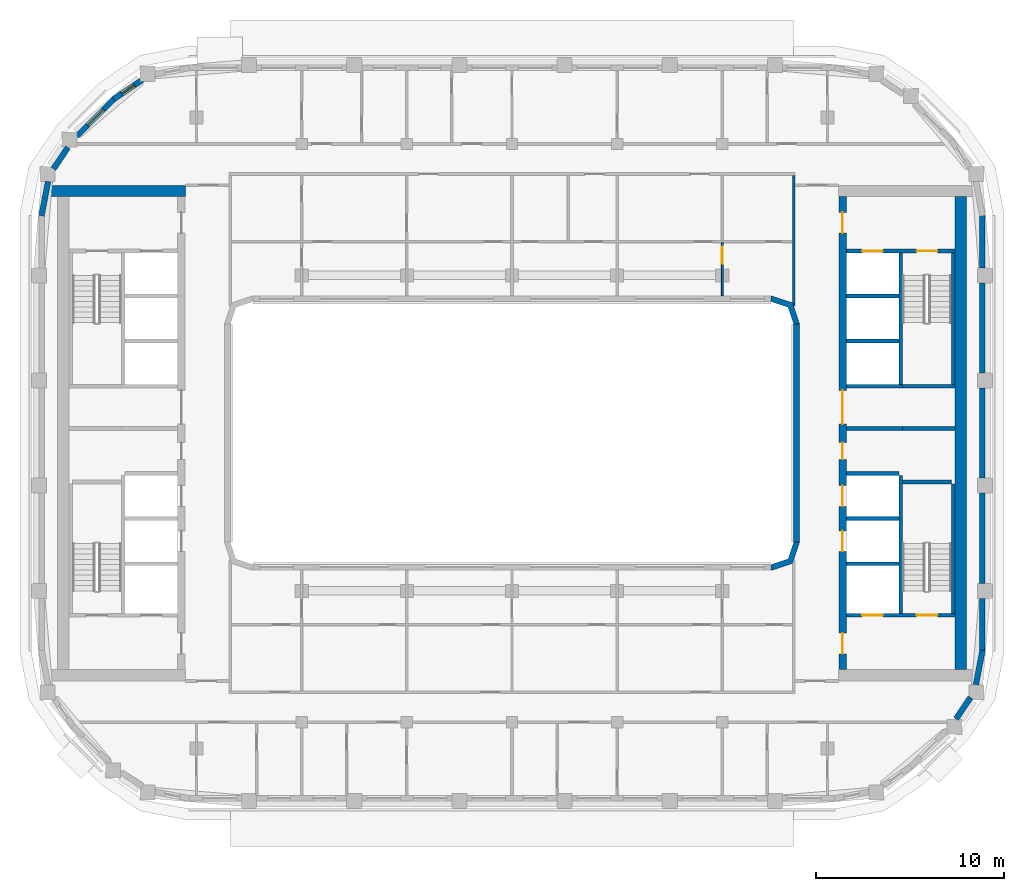
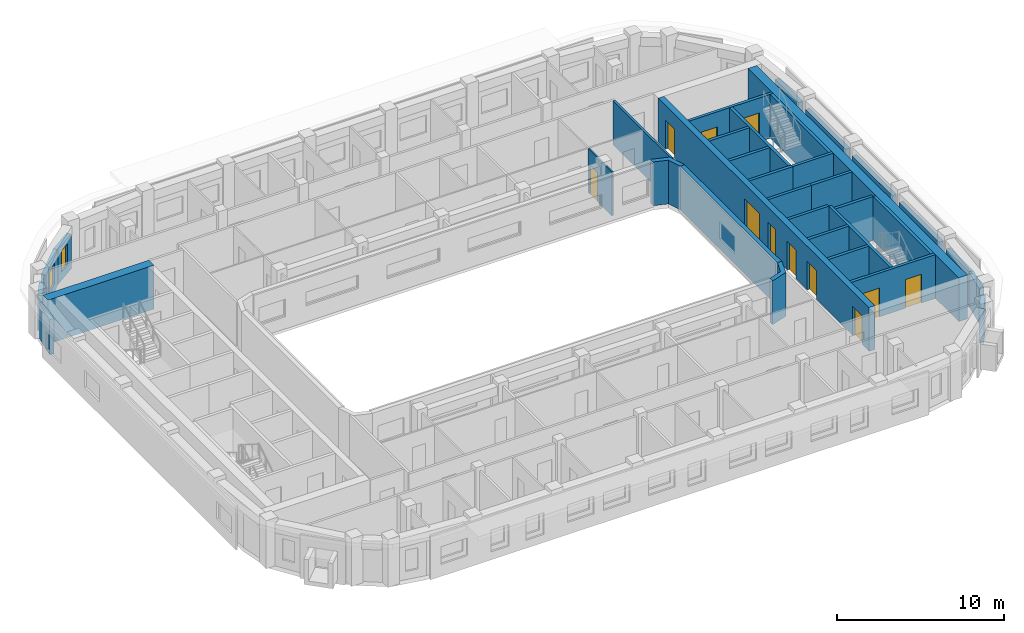
# One storey, part 6 of 16: 35 walls, 11 doors, 2 windows, 13 openings.
"""IFC4 building model written with IfcOpenShell, lengths in metres."""

import ifcopenshell
import ifcopenshell.guid

model = None  # the IFC model being written
_history = None  # IfcOwnerHistory: only IFC2X3 demands one
_inside = {}  # id of a spatial element -> (the spatial element, [elements in it])
_under = {}  # id of a project, library or spatial element -> (it, [spatial elements below it])
_declared = {}  # id of a project -> (the project, [libraries it declares])
_typed = {}  # id of a type object -> (the type object, [elements of that type])
_made_of = {}  # id of a material, layer set ... -> (it, [elements and type objects made of it])


def new_model(schema):
    """Start an empty IFC model of exactly this schema.

    Asked for "IFC4X3", IfcOpenShell would pick the latest addendum, in which some entities
    have other attributes; the version numbers below select the first issue.
    IFC2X3 requires an IfcOwnerHistory on every rooted entity: one is made here for all.
    """
    global model, _history
    if schema == "IFC4X3":
        model = ifcopenshell.file(schema_version=(4, 3, 0, 0))
    else:
        model = ifcopenshell.file(schema=schema)
    _inside.clear()
    _under.clear()
    _declared.clear()
    _typed.clear()
    _made_of.clear()
    _history = None
    if model.schema == "IFC2X3":
        org = make("IfcOrganization", Name="unknown")
        user = make(
            "IfcPersonAndOrganization",
            ThePerson=make("IfcPerson", FamilyName="unknown"),
            TheOrganization=org,
        )
        app = make(
            "IfcApplication",
            ApplicationDeveloper=org,
            Version="unknown",
            ApplicationFullName="unknown",
            ApplicationIdentifier="unknown",
        )
        _history = make(
            "IfcOwnerHistory",
            OwningUser=user,
            OwningApplication=app,
            ChangeAction="ADDED",
            CreationDate=0,
        )
    return model


def make(cls, **values):
    """One entity of the class cls with the attributes given. An attribute that is None is left unset."""
    return model.create_entity(
        cls, **{name: value for name, value in values.items() if value is not None}
    )


def rooted(cls, **values):
    """An entity with a GlobalId (a new one), such as an element, a storey or a relation."""
    return make(cls, GlobalId=ifcopenshell.guid.new(), OwnerHistory=_history, **values)


def si_unit(unit_type, name, prefix=None):
    """IfcSIUnit, for example si_unit("LENGTHUNIT", "METRE", prefix="MILLI")."""
    return make("IfcSIUnit", UnitType=unit_type, Prefix=prefix, Name=name)


def assignment(units):
    """IfcUnitAssignment: the units of a project."""
    return None if units is None else make("IfcUnitAssignment", Units=units)


def point(xyz):
    """IfcCartesianPoint."""
    return None if xyz is None else make("IfcCartesianPoint", Coordinates=xyz)


def direction(xyz):
    """IfcDirection."""
    return None if xyz is None else make("IfcDirection", DirectionRatios=xyz)


def frame(location, z_axis=None, x_axis=None):
    """IfcAxis2Placement3D, a coordinate frame: its origin and axes. An axis left out is left unset."""
    return make(
        "IfcAxis2Placement3D",
        Location=point(location),
        Axis=direction(z_axis),
        RefDirection=direction(x_axis),
    )


def frame_2d(location, x_axis=None):
    """IfcAxis2Placement2D, a coordinate frame in the plane: its origin and x axis."""
    return make(
        "IfcAxis2Placement2D", Location=point(location), RefDirection=direction(x_axis)
    )


def origin():
    """The frame at (0, 0, 0) with its axes left unset."""
    return frame((0.0, 0.0, 0.0))


def place(relative_to, where):
    """IfcLocalPlacement: puts the frame where relative to a parent placement (None: the world)."""
    return make(
        "IfcLocalPlacement", PlacementRelTo=relative_to, RelativePlacement=where
    )


def context(
    kind, dimensions, precision=None, world=None, true_north=None, identifier=None
):
    """IfcGeometricRepresentationContext, for example the 3D "Model" context."""
    return make(
        "IfcGeometricRepresentationContext",
        ContextIdentifier=identifier,
        ContextType=kind,
        CoordinateSpaceDimension=dimensions,
        Precision=precision,
        WorldCoordinateSystem=world,
        TrueNorth=true_north,
    )


def subcontext(parent, identifier, kind, view, scale=None):
    """IfcGeometricRepresentationSubContext, for example "Body" below "Model"."""
    return make(
        "IfcGeometricRepresentationSubContext",
        ContextIdentifier=identifier,
        ContextType=kind,
        ParentContext=parent,
        TargetScale=scale,
        TargetView=view,
    )


def project(units=None, contexts=None):
    """IfcProject with its units and contexts."""
    return rooted(
        "IfcProject",
        Name="project",
        RepresentationContexts=contexts,
        UnitsInContext=assignment(units),
    )


def spatial(cls, under=None, at=None, **own):
    """A site, building, storey or space (cls), placed at a placement, below another one or the project."""
    s = rooted(cls, ObjectPlacement=at, **own)
    if under is not None:
        _under.setdefault(under.id(), (under, []))[1].append(s)
    return s


def polyline(points):
    """IfcPolyline through the points."""
    return make("IfcPolyline", Points=[point(p) for p in points])


def profile(cls, at=None, kind="AREA", **sizes):
    """A parametric profile (cls). Its sizes go by their IFC names, for example OverallWidth=200.0."""
    return make(cls, ProfileType=kind, Position=at, **sizes)


def rectangle(**sizes):
    """IfcRectangleProfileDef."""
    return profile("IfcRectangleProfileDef", **sizes)


def outline(outer, holes=None, kind="AREA"):
    """IfcArbitraryClosedProfileDef: a profile drawn as a closed curve; with holes, ...WithVoids."""
    if holes is None:
        return make("IfcArbitraryClosedProfileDef", ProfileType=kind, OuterCurve=outer)
    return make(
        "IfcArbitraryProfileDefWithVoids",
        ProfileType=kind,
        OuterCurve=outer,
        InnerCurves=holes,
    )


def extrude(swept, where, along, depth):
    """IfcExtrudedAreaSolid: the profile swept, set in the frame where, extruded along a direction by depth."""
    return make(
        "IfcExtrudedAreaSolid",
        SweptArea=swept,
        Position=where,
        ExtrudedDirection=direction(along),
        Depth=depth,
    )


def shape(context_of_items, identifier, shape_type, items):
    """IfcShapeRepresentation: the items that make up one representation, for example the "Body"."""
    return make(
        "IfcShapeRepresentation",
        ContextOfItems=context_of_items,
        RepresentationIdentifier=identifier,
        RepresentationType=shape_type,
        Items=items,
    )


def material(Name=None, Category=None):
    """IfcMaterial."""
    return make("IfcMaterial", Name=Name, Category=Category)


def layer(
    of_material, thickness, ventilated=None, Name=None, Category=None, Priority=None
):
    """IfcMaterialLayer: one layer of a wall or slab, of a material (None: an air gap)."""
    return make(
        "IfcMaterialLayer",
        Material=of_material,
        LayerThickness=thickness,
        IsVentilated=ventilated,
        Name=Name,
        Category=Category,
        Priority=Priority,
    )


def layer_set(layers, Name=None):
    """IfcMaterialLayerSet."""
    return make("IfcMaterialLayerSet", MaterialLayers=layers, LayerSetName=Name)


def made_of(thing, what):
    """Note that an element or type object is made of a material, layer set ...; save() writes the relation."""
    if what is not None:
        _made_of.setdefault(what.id(), (what, []))[1].append(thing)
    return thing


def type_object(cls, material=None, **own):
    """A type object (cls), such as IfcWallType, which elements share."""
    return made_of(rooted(cls, **own), material)


def element(
    cls,
    number,
    at=None,
    inside=None,
    cuts=None,
    type_object=None,
    material=None,
    context=None,
    identifier="Body",
    shape_type=None,
    held_by="IfcProductDefinitionShape",
    body=None,
    shapes=None,
    **own,
):
    """One element of the class cls, such as IfcWall. Its Tag is "e" and its number.

    at: its placement. inside: the storey or other place that contains it. cuts: it is an
    opening in that element (IfcRelVoidsElement). A single representation is given by context,
    identifier, shape_type and body (its items); several are given by shapes. held_by: the class
    of the entity that holds the representations. save() writes the other relations.
    """
    e = rooted(cls, Tag="e%d" % number, ObjectPlacement=at, **own)
    if body is not None:
        shapes = [shape(context, identifier, shape_type, body)]
    if shapes is not None:
        e.Representation = make(held_by, Representations=shapes)
    if inside is not None:
        _inside.setdefault(inside.id(), (inside, []))[1].append(e)
    if cuts is not None:
        rooted(
            "IfcRelVoidsElement", RelatingBuildingElement=cuts, RelatedOpeningElement=e
        )
    if type_object is not None:
        _typed.setdefault(type_object.id(), (type_object, []))[1].append(e)
    return made_of(e, material)


def fill(opening, filler):
    """IfcRelFillsElement: the door or window that sits in an opening."""
    return rooted(
        "IfcRelFillsElement",
        RelatingOpeningElement=opening,
        RelatedBuildingElement=filler,
    )


def aggregate(whole, parts):
    """IfcRelAggregates: a whole, such as a stair, and the parts it consists of."""
    return rooted("IfcRelAggregates", RelatingObject=whole, RelatedObjects=parts)


def save(model, path):
    """Write the relations noted so far, then the file.

    IfcRelAggregates (storeys below a building ...), IfcRelContainedInSpatialStructure (elements
    in a storey), IfcRelDefinesByType, IfcRelAssociatesMaterial and IfcRelDeclares: one each for
    every whole, place, type object, material and project.
    """
    for whole, parts in _under.values():
        aggregate(whole, parts)
    for where, things in _inside.values():
        rooted(
            "IfcRelContainedInSpatialStructure",
            RelatedElements=things,
            RelatingStructure=where,
        )
    for kind, things in _typed.values():
        rooted("IfcRelDefinesByType", RelatedObjects=things, RelatingType=kind)
    for what, things in _made_of.values():
        rooted("IfcRelAssociatesMaterial", RelatedObjects=things, RelatingMaterial=what)
    for by, libraries in _declared.values():
        rooted("IfcRelDeclares", RelatingContext=by, RelatedDefinitions=libraries)
    model.write(path)


model = new_model("IFC4")

# Units and contexts
model_context = context("Model", 3, precision=1e-05, world=origin(), true_north=direction((0.0, 1.0)))
body_context = subcontext(model_context, "Body", "Model", "MODEL_VIEW")
ifc_project = project(units=[si_unit("LENGTHUNIT", "METRE"), si_unit("AREAUNIT", "SQUARE_METRE"), si_unit("VOLUMEUNIT", "CUBIC_METRE"), si_unit("PLANEANGLEUNIT", "RADIAN"), si_unit("MASSUNIT", "GRAM", prefix="KILO")], contexts=[model_context])

# Site, building, storey
site_placement = place(None, origin())
site = spatial("IfcSite", under=ifc_project, at=site_placement, CompositionType="ELEMENT")
building_placement = place(site_placement, origin())
building = spatial("IfcBuilding", under=site, at=building_placement, Name="Kiln Ring Residences", CompositionType="ELEMENT")
storey_placement = place(building_placement, frame((0.0, 0.0, 245.199951171875)))
storey = spatial("IfcBuildingStorey", under=building, at=storey_placement, Name="L63", CompositionType="ELEMENT", Elevation=245.199951171875)

# Walls
ifc_material_1 = material(Name="Gypsum board on steel studs", Category="steel")
ifc_layer_1 = layer(ifc_material_1, 0.199951171875)
ifc_layer_set_1 = layer_set([ifc_layer_1], Name="CORE-PARTITION-200")
wall_type_1 = type_object("IfcWallType", Name="CORE-PARTITION-200", PredefinedType="PARTITIONING", material=ifc_layer_set_1)
wall_1_placement = place(storey_placement, frame((20.800048828125, 0.25, 0.0), z_axis=(0.0, 0.0, 1.0), x_axis=(1.0, 0.0, 0.0)))
element("IfcWall", 1, at=wall_1_placement, inside=storey, type_object=wall_type_1, Name="Core partition east L63 1", PredefinedType="PARTITIONING", context=body_context, shape_type="SweptSolid", body=[
    extrude(rectangle(XDim=2.800048828125, YDim=0.199951171875, at=frame_2d((1.39990234375, 0.0))), origin(), (0.0, 0.0, 1.0), 3.199951171875),
])
ifc_material_2 = material(Name="Gypsum shaft wall system")
ifc_layer_2 = layer(ifc_material_2, 0.199951171875)
ifc_layer_set_2 = layer_set([ifc_layer_2], Name="CORE-SHAFT-WALL-200")
wall_type_2 = type_object("IfcWallType", Name="CORE-SHAFT-WALL-200", PredefinedType="PARTITIONING", material=ifc_layer_set_2)
for number, where, z_axis, x_axis, name in (
    (2, (17.800048828125, -6.949951171875, 0.0), (0.0, 0.0, 1.0), (1.0, 0.0, 0.0), "Core partition east L63 2"),
    (3, (17.800048828125, -4.550048828125, 0.0), (0.0, 0.0, 1.0), (1.0, 0.0, 0.0), "Core partition east L63 3"),
    (4, (17.800048828125, -2.14990234375, 0.0), (0.0, 0.0, 1.0), (1.0, 0.0, 0.0), "Core partition east L63 4"),
):
    element("IfcWall", number, at=place(storey_placement, frame(where, z_axis=z_axis, x_axis=x_axis)), inside=storey, type_object=wall_type_2, Name=name, PredefinedType="PARTITIONING", context=body_context, shape_type="SweptSolid", body=[
        extrude(rectangle(XDim=2.800048828125, YDim=0.199951171875, at=frame_2d((1.39990234375, 0.0))), origin(), (0.0, 0.0, 1.0), 3.199951171875),
    ])
for number, where, z_axis, x_axis, name in (
    (5, (17.800048828125, 0.25, 0.0), (0.0, 0.0, 1.0), (1.0, 0.0, 0.0), "Core partition east L63 5"),
    (6, (17.800048828125, 2.5, 0.0), (0.0, 0.0, 1.0), (1.0, 0.0, 0.0), "Core partition east L63 6"),
):
    element("IfcWall", number, at=place(storey_placement, frame(where, z_axis=z_axis, x_axis=x_axis)), inside=storey, type_object=wall_type_2, Name=name, PredefinedType="PARTITIONING", context=body_context, shape_type="SweptSolid", body=[
        extrude(rectangle(XDim=3.0, YDim=0.199951171875, at=frame_2d((1.5, 0.0))), origin(), (0.0, 0.0, 1.0), 3.199951171875),
    ])
for number, where, z_axis, x_axis, name in (
    (7, (17.800048828125, 4.89990234375, 0.0), (0.0, 0.0, 1.0), (1.0, 0.0, 0.0), "Core partition east L63 7"),
    (8, (17.800048828125, 7.300048828125, 0.0), (0.0, 0.0, 1.0), (1.0, 0.0, 0.0), "Core partition east L63 8"),
):
    element("IfcWall", number, at=place(storey_placement, frame(where, z_axis=z_axis, x_axis=x_axis)), inside=storey, type_object=wall_type_2, Name=name, PredefinedType="PARTITIONING", context=body_context, shape_type="SweptSolid", body=[
        extrude(rectangle(XDim=2.800048828125, YDim=0.199951171875, at=frame_2d((1.39990234375, 0.0))), origin(), (0.0, 0.0, 1.0), 3.199951171875),
    ])
ifc_material_3 = material(Name="Concrete C40/50", Category="concrete")
ifc_layer_3 = layer(ifc_material_3, 0.199951171875)
ifc_layer_set_3 = layer_set([ifc_layer_3], Name="CORE-WALL-RC200")
wall_type_3 = type_object("IfcWallType", Name="CORE-WALL-RC200", PredefinedType="SHEAR", material=ifc_layer_set_3)
wall_2_placement = place(storey_placement, frame((20.699951171875, 2.60009765625, 0.0), z_axis=(0.0, 0.0, 1.0), x_axis=(0.0, 1.0, 0.0)))
element("IfcWall", 9, at=wall_2_placement, inside=storey, type_object=wall_type_3, Name="Core wall east L63 1", PredefinedType="SHEAR", context=body_context, shape_type="SweptSolid", body=[
    extrude(rectangle(XDim=7.0, YDim=0.199951171875, at=frame_2d((3.5, 0.0))), origin(), (0.0, 0.0, 1.0), 3.199951171875),
])
wall_3_placement = place(storey_placement, frame((20.699951171875, -9.60009765625, 0.0), z_axis=(0.0, 0.0, 1.0), x_axis=(0.0, 1.0, 0.0)))
element("IfcWall", 10, at=wall_3_placement, inside=storey, type_object=wall_type_3, Name="Core wall east L63 2", PredefinedType="SHEAR", context=body_context, shape_type="SweptSolid", body=[
    extrude(rectangle(XDim=7.35009765625, YDim=0.199951171875, at=frame_2d((3.675048828125, 0.0))), origin(), (0.0, 0.0, 1.0), 3.199951171875),
])
wall_4_placement = place(storey_placement, frame((20.800048828125, 2.5, 0.0), z_axis=(0.0, 0.0, 1.0), x_axis=(1.0, 0.0, 0.0)))
element("IfcWall", 11, at=wall_4_placement, inside=storey, type_object=wall_type_3, Name="Core wall east L63 3", PredefinedType="SHEAR", context=body_context, shape_type="SweptSolid", body=[
    extrude(rectangle(XDim=2.800048828125, YDim=0.199951171875, at=frame_2d((1.39990234375, 0.0))), origin(), (0.0, 0.0, 1.0), 3.199951171875),
])

# Wall, openings, doors
wall_5_placement = place(storey_placement, frame((17.800048828125, -9.699951171875, 0.0), z_axis=(0.0, 0.0, 1.0), x_axis=(1.0, 0.0, 0.0)))
wall_5 = element("IfcWall", 12, at=wall_5_placement, inside=storey, type_object=wall_type_3, Name="Core wall east L63 8", PredefinedType="SHEAR", context=body_context, shape_type="SweptSolid", body=[
    extrude(rectangle(XDim=5.800048828125, YDim=0.199951171875, at=frame_2d((2.89990234375, 0.0))), origin(), (0.0, 0.0, 1.0), 3.199951171875),
])
opening_1_placement = place(wall_5_placement, frame((0.85009765625, 0.0, 0.0)))
opening_1 = element("IfcOpeningElement", 13, at=opening_1_placement, cuts=wall_5, Name="Opening L63-CE01", PredefinedType="OPENING", context=body_context, shape_type="SweptSolid", body=[
    extrude(rectangle(XDim=1.10009765625, YDim=2.10009765625, at=frame_2d((0.550048828125, 1.050048828125))), frame((0.0, 0.10986328125, 0.0), z_axis=(0.0, -1.0, 0.0), x_axis=(1.0, 0.0, 0.0)), (0.0, 0.0, 1.0), 0.219970703125),
])
opening_2_placement = place(wall_5_placement, frame((3.75, 0.0, 0.0)))
opening_2 = element("IfcOpeningElement", 14, at=opening_2_placement, cuts=wall_5, Name="Opening L63-CE09", PredefinedType="OPENING", context=body_context, shape_type="SweptSolid", body=[
    extrude(rectangle(XDim=1.10009765625, YDim=2.10009765625, at=frame_2d((0.550048828125, 1.050048828125))), frame((0.0, 0.10986328125, 0.0), z_axis=(0.0, -1.0, 0.0), x_axis=(1.0, 0.0, 0.0)), (0.0, 0.0, 1.0), 0.219970703125),
])
ifc_material_4 = material(Name="Steel door leaf", Category="steel")
door_type_1 = type_object("IfcDoorType", Name="CORE-DOOR-LD", OperationType="DOUBLE_DOOR_SLIDING", PredefinedType="DOOR", material=ifc_material_4)
door_1_placement = place(opening_1_placement, origin())
door_1 = element("IfcDoor", 15, at=door_1_placement, inside=storey, type_object=door_type_1, Name="LD E-SV L63-CE01", OperationType="DOUBLE_DOOR_SLIDING", OverallHeight=2.10009765625, OverallWidth=1.10009765625, PredefinedType="DOOR", context=body_context, shape_type="SweptSolid", body=[
    extrude(rectangle(XDim=1.10009765625, YDim=2.10009765625, at=frame_2d((0.550048828125, 1.050048828125))), frame((0.0, 0.02490234375, 0.0), z_axis=(0.0, -1.0, 0.0), x_axis=(1.0, 0.0, 0.0)), (0.0, 0.0, 1.0), 0.050048828125),
])
fill(opening_1, door_1)
ifc_material_5 = material(Name="Steel door leaf", Category="steel")
door_type_2 = type_object("IfcDoorType", Name="CORE-DOOR-STAIR", OperationType="SINGLE_SWING_LEFT", PredefinedType="DOOR", material=ifc_material_5)
door_2_placement = place(opening_2_placement, origin())
door_2 = element("IfcDoor", 16, at=door_2_placement, inside=storey, type_object=door_type_2, Name="Stair E-STS L63-CE09", OperationType="SINGLE_SWING_LEFT", OverallHeight=2.10009765625, OverallWidth=1.10009765625, PredefinedType="DOOR", context=body_context, shape_type="SweptSolid", body=[
    extrude(rectangle(XDim=1.10009765625, YDim=2.10009765625, at=frame_2d((0.550048828125, 1.050048828125))), frame((0.0, 0.02490234375, 0.0), z_axis=(0.0, -1.0, 0.0), x_axis=(1.0, 0.0, 0.0)), (0.0, 0.0, 1.0), 0.050048828125),
])
fill(opening_2, door_2)

wall_6_placement = place(storey_placement, frame((17.800048828125, 9.699951171875, 0.0), z_axis=(0.0, 0.0, 1.0), x_axis=(1.0, 0.0, 0.0)))
wall_6 = element("IfcWall", 17, at=wall_6_placement, inside=storey, type_object=wall_type_3, Name="Core wall east L63 9", PredefinedType="SHEAR", context=body_context, shape_type="SweptSolid", body=[
    extrude(rectangle(XDim=5.800048828125, YDim=0.199951171875, at=frame_2d((2.89990234375, 0.0))), origin(), (0.0, 0.0, 1.0), 3.199951171875),
])
opening_3_placement = place(wall_6_placement, frame((0.85009765625, 0.0, 0.0)))
opening_3 = element("IfcOpeningElement", 18, at=opening_3_placement, cuts=wall_6, Name="Opening L63-CE05", PredefinedType="OPENING", context=body_context, shape_type="SweptSolid", body=[
    extrude(rectangle(XDim=1.10009765625, YDim=2.10009765625, at=frame_2d((0.550048828125, 1.050048828125))), frame((0.0, 0.10986328125, 0.0), z_axis=(0.0, -1.0, 0.0), x_axis=(1.0, 0.0, 0.0)), (0.0, 0.0, 1.0), 0.219970703125),
])
opening_4_placement = place(wall_6_placement, frame((3.75, 0.0, 0.0)))
opening_4 = element("IfcOpeningElement", 19, at=opening_4_placement, cuts=wall_6, Name="Opening L63-CE08", PredefinedType="OPENING", context=body_context, shape_type="SweptSolid", body=[
    extrude(rectangle(XDim=1.10009765625, YDim=2.10009765625, at=frame_2d((0.550048828125, 1.050048828125))), frame((0.0, 0.10986328125, 0.0), z_axis=(0.0, -1.0, 0.0), x_axis=(1.0, 0.0, 0.0)), (0.0, 0.0, 1.0), 0.219970703125),
])
door_3_placement = place(opening_3_placement, origin())
door_3 = element("IfcDoor", 20, at=door_3_placement, inside=storey, type_object=door_type_1, Name="LD E-FF L63-CE05", OperationType="DOUBLE_DOOR_SLIDING", OverallHeight=2.10009765625, OverallWidth=1.10009765625, PredefinedType="DOOR", context=body_context, shape_type="SweptSolid", body=[
    extrude(rectangle(XDim=1.10009765625, YDim=2.10009765625, at=frame_2d((0.550048828125, 1.050048828125))), frame((0.0, 0.02490234375, 0.0), z_axis=(0.0, -1.0, 0.0), x_axis=(1.0, 0.0, 0.0)), (0.0, 0.0, 1.0), 0.050048828125),
])
fill(opening_3, door_3)
door_4_placement = place(opening_4_placement, origin())
door_4 = element("IfcDoor", 21, at=door_4_placement, inside=storey, type_object=door_type_2, Name="Stair E-STN L63-CE08", OperationType="SINGLE_SWING_LEFT", OverallHeight=2.10009765625, OverallWidth=1.10009765625, PredefinedType="DOOR", context=body_context, shape_type="SweptSolid", body=[
    extrude(rectangle(XDim=1.10009765625, YDim=2.10009765625, at=frame_2d((0.550048828125, 1.050048828125))), frame((0.0, 0.02490234375, 0.0), z_axis=(0.0, -1.0, 0.0), x_axis=(1.0, 0.0, 0.0)), (0.0, 0.0, 1.0), 0.050048828125),
])
fill(opening_4, door_4)

# Walls
wall_7_placement = place(storey_placement, frame((23.5, 2.60009765625, 0.0), z_axis=(0.0, 0.0, 1.0), x_axis=(0.0, 1.0, 0.0)))
element("IfcWall", 22, at=wall_7_placement, inside=storey, type_object=wall_type_3, Name="Core wall east L63 10", PredefinedType="SHEAR", context=body_context, shape_type="SweptSolid", body=[
    extrude(rectangle(XDim=7.0, YDim=0.199951171875, at=frame_2d((3.5, 0.0))), origin(), (0.0, 0.0, 1.0), 3.199951171875),
])
wall_8_placement = place(storey_placement, frame((23.5, -9.60009765625, 0.0), z_axis=(0.0, 0.0, 1.0), x_axis=(0.0, 1.0, 0.0)))
element("IfcWall", 23, at=wall_8_placement, inside=storey, type_object=wall_type_3, Name="Core wall east L63 11", PredefinedType="SHEAR", context=body_context, shape_type="SweptSolid", body=[
    extrude(rectangle(XDim=6.900146484375, YDim=0.199951171875, at=frame_2d((3.4501953125, 0.0))), origin(), (0.0, 0.0, 1.0), 3.199951171875),
])
wall_9_placement = place(storey_placement, frame((20.800048828125, -2.60009765625, 0.0), z_axis=(0.0, 0.0, 1.0), x_axis=(1.0, 0.0, 0.0)))
element("IfcWall", 24, at=wall_9_placement, inside=storey, type_object=wall_type_3, Name="Core wall east L63 12", PredefinedType="SHEAR", context=body_context, shape_type="SweptSolid", body=[
    extrude(rectangle(XDim=2.599853515625, YDim=0.199951171875, at=frame_2d((1.2998046875, 0.0))), origin(), (0.0, 0.0, 1.0), 3.199951171875),
])

# Wall, openings, doors
ifc_material_6 = material(Name="Concrete C60/75", Category="concrete")
ifc_layer_4 = layer(ifc_material_6, 0.39990234375)
ifc_layer_set_4 = layer_set([ifc_layer_4], Name="CORE-WALL-RC400")
wall_type_4 = type_object("IfcWallType", Name="CORE-WALL-RC400", PredefinedType="SHEAR", material=ifc_layer_set_4)
wall_10_placement = place(storey_placement, frame((17.60009765625, -12.60009765625, 0.0), z_axis=(0.0, 0.0, 1.0), x_axis=(0.0, 1.0, 0.0)))
wall_10 = element("IfcWall", 25, at=wall_10_placement, inside=storey, type_object=wall_type_4, Name="Core wall east L63 6", PredefinedType="SHEAR", context=body_context, shape_type="SweptSolid", body=[
    extrude(rectangle(XDim=25.2001953125, YDim=0.39990234375, at=frame_2d((12.60009765625, 0.0))), origin(), (0.0, 0.0, 1.0), 3.199951171875),
])
opening_5_placement = place(wall_10_placement, frame((6.300048828125, 0.0, 0.0)))
opening_5 = element("IfcOpeningElement", 26, at=opening_5_placement, cuts=wall_10, Name="Opening L63-CE02", PredefinedType="OPENING", context=body_context, shape_type="SweptSolid", body=[
    extrude(rectangle(XDim=1.10009765625, YDim=2.10009765625, at=frame_2d((0.550048828125, 1.050048828125))), frame((0.0, 0.2099609375, 0.0), z_axis=(0.0, -1.0, 0.0), x_axis=(1.0, 0.0, 0.0)), (0.0, 0.0, 1.0), 0.419921875),
])
opening_6_placement = place(wall_10_placement, frame((8.699951171875, 0.0, 0.0)))
opening_6 = element("IfcOpeningElement", 27, at=opening_6_placement, cuts=wall_10, Name="Opening L63-CE03", PredefinedType="OPENING", context=body_context, shape_type="SweptSolid", body=[
    extrude(rectangle(XDim=1.10009765625, YDim=2.10009765625, at=frame_2d((0.550048828125, 1.050048828125))), frame((0.0, 0.2099609375, 0.0), z_axis=(0.0, -1.0, 0.0), x_axis=(1.0, 0.0, 0.0)), (0.0, 0.0, 1.0), 0.419921875),
])
opening_7_placement = place(wall_10_placement, frame((11.199951171875, 0.0, 0.0)))
opening_7 = element("IfcOpeningElement", 28, at=opening_7_placement, cuts=wall_10, Name="Opening L63-CE04", PredefinedType="OPENING", context=body_context, shape_type="SweptSolid", body=[
    extrude(rectangle(XDim=0.89990234375, YDim=2.10009765625, at=frame_2d((0.449951171875, 1.050048828125))), frame((0.0, 0.2099609375, 0.0), z_axis=(0.0, -1.0, 0.0), x_axis=(1.0, 0.0, 0.0)), (0.0, 0.0, 1.0), 0.419921875),
])
opening_8_placement = place(wall_10_placement, frame((23.25, 0.0, 0.0)))
opening_8 = element("IfcOpeningElement", 29, at=opening_8_placement, cuts=wall_10, Name="Opening L63-CE06", PredefinedType="OPENING", context=body_context, shape_type="SweptSolid", body=[
    extrude(rectangle(XDim=1.10009765625, YDim=2.10009765625, at=frame_2d((0.550048828125, 1.050048828125))), frame((0.0, 0.2099609375, 0.0), z_axis=(0.0, -1.0, 0.0), x_axis=(1.0, 0.0, 0.0)), (0.0, 0.0, 1.0), 0.419921875),
])
opening_9_placement = place(wall_10_placement, frame((0.85009765625, 0.0, 0.0)))
opening_9 = element("IfcOpeningElement", 30, at=opening_9_placement, cuts=wall_10, Name="Opening L63-CE07", PredefinedType="OPENING", context=body_context, shape_type="SweptSolid", body=[
    extrude(rectangle(XDim=1.10009765625, YDim=2.10009765625, at=frame_2d((0.550048828125, 1.050048828125))), frame((0.0, 0.2099609375, 0.0), z_axis=(0.0, -1.0, 0.0), x_axis=(1.0, 0.0, 0.0)), (0.0, 0.0, 1.0), 0.419921875),
])
opening_10_placement = place(wall_10_placement, frame((13.074951171875, 0.0, 0.0)))
opening_10 = element("IfcOpeningElement", 31, at=opening_10_placement, cuts=wall_10, Name="Opening L63-CE10", PredefinedType="OPENING", context=body_context, shape_type="SweptSolid", body=[
    extrude(rectangle(XDim=1.800048828125, YDim=2.10009765625, at=frame_2d((0.89990234375, 1.050048828125))), frame((0.0, 0.2099609375, 0.0), z_axis=(0.0, -1.0, 0.0), x_axis=(1.0, 0.0, 0.0)), (0.0, 0.0, 1.0), 0.419921875),
])
door_5_placement = place(opening_5_placement, origin())
door_5 = element("IfcDoor", 32, at=door_5_placement, inside=storey, type_object=door_type_1, Name="LD E-H1 L63-CE02", OperationType="DOUBLE_DOOR_SLIDING", OverallHeight=2.10009765625, OverallWidth=1.10009765625, PredefinedType="DOOR", context=body_context, shape_type="SweptSolid", body=[
    extrude(rectangle(XDim=1.10009765625, YDim=2.10009765625, at=frame_2d((0.550048828125, 1.050048828125))), frame((0.0, 0.02490234375, 0.0), z_axis=(0.0, -1.0, 0.0), x_axis=(1.0, 0.0, 0.0)), (0.0, 0.0, 1.0), 0.050048828125),
])
fill(opening_5, door_5)
door_6_placement = place(opening_6_placement, origin())
door_6 = element("IfcDoor", 33, at=door_6_placement, inside=storey, type_object=door_type_1, Name="LD E-H2 L63-CE03", OperationType="DOUBLE_DOOR_SLIDING", OverallHeight=2.10009765625, OverallWidth=1.10009765625, PredefinedType="DOOR", context=body_context, shape_type="SweptSolid", body=[
    extrude(rectangle(XDim=1.10009765625, YDim=2.10009765625, at=frame_2d((0.550048828125, 1.050048828125))), frame((0.0, 0.02490234375, 0.0), z_axis=(0.0, -1.0, 0.0), x_axis=(1.0, 0.0, 0.0)), (0.0, 0.0, 1.0), 0.050048828125),
])
fill(opening_6, door_6)
ifc_material_7 = material(Name="Steel door leaf", Category="steel")
door_type_3 = type_object("IfcDoorType", Name="CORE-DOOR-LOBBY", OperationType="SINGLE_SWING_LEFT", PredefinedType="DOOR", material=ifc_material_7)
door_7_placement = place(opening_8_placement, origin())
door_7 = element("IfcDoor", 34, at=door_7_placement, inside=storey, type_object=door_type_3, Name="FFL L63-CE06", OperationType="SINGLE_SWING_RIGHT", OverallHeight=2.10009765625, OverallWidth=1.10009765625, PredefinedType="DOOR", context=body_context, shape_type="SweptSolid", body=[
    extrude(rectangle(XDim=1.10009765625, YDim=2.10009765625, at=frame_2d((0.550048828125, 1.050048828125))), frame((0.0, 0.02490234375, 0.0), z_axis=(0.0, -1.0, 0.0), x_axis=(1.0, 0.0, 0.0)), (0.0, 0.0, 1.0), 0.050048828125),
])
fill(opening_8, door_7)
door_8_placement = place(opening_9_placement, origin())
door_8 = element("IfcDoor", 35, at=door_8_placement, inside=storey, type_object=door_type_3, Name="SVL L63-CE07", OperationType="SINGLE_SWING_LEFT", OverallHeight=2.10009765625, OverallWidth=1.10009765625, PredefinedType="DOOR", context=body_context, shape_type="SweptSolid", body=[
    extrude(rectangle(XDim=1.10009765625, YDim=2.10009765625, at=frame_2d((0.550048828125, 1.050048828125))), frame((0.0, 0.02490234375, 0.0), z_axis=(0.0, -1.0, 0.0), x_axis=(1.0, 0.0, 0.0)), (0.0, 0.0, 1.0), 0.050048828125),
])
fill(opening_9, door_8)
ifc_material_8 = material(Name="Steel door leaf", Category="steel")
door_type_4 = type_object("IfcDoorType", Name="CORE-DOOR-PASS", OperationType="DOUBLE_DOOR_SINGLE_SWING", PredefinedType="DOOR", material=ifc_material_8)
door_9_placement = place(opening_10_placement, origin())
door_9 = element("IfcDoor", 36, at=door_9_placement, inside=storey, type_object=door_type_4, Name="Core passage L63-CE10", OperationType="DOUBLE_DOOR_SINGLE_SWING", OverallHeight=2.10009765625, OverallWidth=1.800048828125, PredefinedType="DOOR", context=body_context, shape_type="SweptSolid", body=[
    extrude(rectangle(XDim=1.800048828125, YDim=2.10009765625, at=frame_2d((0.89990234375, 1.050048828125))), frame((0.0, 0.02490234375, 0.0), z_axis=(0.0, -1.0, 0.0), x_axis=(1.0, 0.0, 0.0)), (0.0, 0.0, 1.0), 0.050048828125),
])
fill(opening_10, door_9)
ifc_material_9 = material(Name="Steel door leaf", Category="steel")
door_type_5 = type_object("IfcDoorType", Name="CORE-DOOR-ROOM", OperationType="SINGLE_SWING_LEFT", PredefinedType="DOOR", material=ifc_material_9)
door_10_placement = place(opening_7_placement, origin())
door_10 = element("IfcDoor", 37, at=door_10_placement, inside=storey, type_object=door_type_5, Name="Cleaner's base L63-CE04", OperationType="SINGLE_SWING_LEFT", OverallHeight=2.10009765625, OverallWidth=0.89990234375, PredefinedType="DOOR", context=body_context, shape_type="SweptSolid", body=[
    extrude(rectangle(XDim=0.89990234375, YDim=2.10009765625, at=frame_2d((0.449951171875, 1.050048828125))), frame((0.0, 0.02490234375, 0.0), z_axis=(0.0, -1.0, 0.0), x_axis=(1.0, 0.0, 0.0)), (0.0, 0.0, 1.0), 0.050048828125),
])
fill(opening_7, door_10)

# Walls
ifc_material_10 = material(Name="Concrete C60/75", Category="concrete")
ifc_layer_5 = layer(ifc_material_10, 0.60009765625)
ifc_layer_set_5 = layer_set([ifc_layer_5], Name="CORE-WALL-RC600")
wall_type_5 = type_object("IfcWallType", Name="CORE-WALL-RC600", PredefinedType="SHEAR", material=ifc_layer_set_5)
wall_11_placement = place(storey_placement, frame((-17.39990234375, 12.89990234375, 0.0), z_axis=(0.0, 0.0, 1.0), x_axis=(-1.0, 0.0, 0.0)))
element("IfcWall", 38, at=wall_11_placement, inside=storey, type_object=wall_type_5, Name="Core wall west L63 4", PredefinedType="SHEAR", context=body_context, shape_type="SweptSolid", body=[
    extrude(rectangle(XDim=7.320068359375, YDim=0.60009765625, at=frame_2d((3.66015625, 0.0))), origin(), (0.0, 0.0, 1.0), 3.199951171875),
])
wall_12_placement = place(storey_placement, frame((23.89990234375, -12.60009765625, 0.0), z_axis=(0.0, 0.0, 1.0), x_axis=(0.0, 1.0, 0.0)))
element("IfcWall", 39, at=wall_12_placement, inside=storey, type_object=wall_type_5, Name="Core wall east L63 7", PredefinedType="SHEAR", context=body_context, shape_type="SweptSolid", body=[
    extrude(rectangle(XDim=25.2001953125, YDim=0.60009765625, at=frame_2d((12.60009765625, 0.0))), origin(), (0.0, 0.0, 1.0), 3.199951171875),
])
ifc_material_11 = material(Name="Brick masonry, dark clay brick", Category="masonry")
ifc_layer_6 = layer(ifc_material_11, 0.300048828125)
ifc_layer_set_6 = layer_set([ifc_layer_6], Name="EW-300 BRICK WALL")
wall_type_6 = type_object("IfcWallType", Name="EW-300 BRICK WALL", PredefinedType="SOLIDWALL", material=ifc_layer_set_6)
wall_13_placement = place(storey_placement, frame((23.648193359375, -15.216552734375, 0.0), z_axis=(0.0, 0.0, 1.0), x_axis=(0.562043265151, 0.827107833416, 0.0)))
element("IfcWall", 40, at=wall_13_placement, inside=storey, type_object=wall_type_6, Name="Facade wall L63 14", PredefinedType="SOLIDWALL", context=body_context, shape_type="SweptSolid", body=[
    extrude(rectangle(XDim=1.376953125, YDim=0.300048828125, at=frame_2d((0.6884765625, 0.0))), origin(), (0.0, 0.0, 1.0), 2.550048828125),
])
wall_14_placement = place(storey_placement, frame((24.704833984375, -13.395263671875, 0.0), z_axis=(0.0, 0.0, 1.0), x_axis=(0.187408222942, 0.982282117303, 0.0)))
element("IfcWall", 41, at=wall_14_placement, inside=storey, type_object=wall_type_6, Name="Facade wall L63 15", PredefinedType="SOLIDWALL", context=body_context, shape_type="SweptSolid", body=[
    extrude(rectangle(XDim=1.8564453125, YDim=0.300048828125, at=frame_2d((0.92822265625, 0.0))), origin(), (0.0, 0.0, 1.0), 2.550048828125),
])
wall_15_placement = place(storey_placement, frame((25.050048828125, -11.60009765625, 0.0), z_axis=(0.0, 0.0, 1.0), x_axis=(0.0, 1.0, 0.0)))
element("IfcWall", 42, at=wall_15_placement, inside=storey, type_object=wall_type_6, Name="Facade wall L63 16", PredefinedType="SOLIDWALL", context=body_context, shape_type="SweptSolid", body=[
    extrude(rectangle(XDim=2.800048828125, YDim=0.300048828125, at=frame_2d((1.39990234375, 0.0))), origin(), (0.0, 0.0, 1.0), 2.550048828125),
])
wall_16_placement = place(storey_placement, frame((25.050048828125, -8.0, 0.0), z_axis=(0.0, 0.0, 1.0), x_axis=(0.0, 1.0, 0.0)))
element("IfcWall", 43, at=wall_16_placement, inside=storey, type_object=wall_type_6, Name="Facade wall L63 17", PredefinedType="SOLIDWALL", context=body_context, shape_type="SweptSolid", body=[
    extrude(rectangle(XDim=4.800048828125, YDim=0.300048828125, at=frame_2d((2.39990234375, 0.0))), origin(), (0.0, 0.0, 1.0), 2.550048828125),
])
wall_17_placement = place(storey_placement, frame((25.050048828125, -2.39990234375, 0.0), z_axis=(0.0, 0.0, 1.0), x_axis=(0.0, 1.0, 0.0)))
element("IfcWall", 44, at=wall_17_placement, inside=storey, type_object=wall_type_6, Name="Facade wall L63 18", PredefinedType="SOLIDWALL", context=body_context, shape_type="SweptSolid", body=[
    extrude(rectangle(XDim=4.7998046875, YDim=0.300048828125, at=frame_2d((2.39990234375, 0.0))), origin(), (0.0, 0.0, 1.0), 2.550048828125),
])
wall_18_placement = place(storey_placement, frame((25.050048828125, 3.199951171875, 0.0), z_axis=(0.0, 0.0, 1.0), x_axis=(0.0, 1.0, 0.0)))
element("IfcWall", 45, at=wall_18_placement, inside=storey, type_object=wall_type_6, Name="Facade wall L63 19", PredefinedType="SOLIDWALL", context=body_context, shape_type="SweptSolid", body=[
    extrude(rectangle(XDim=4.800048828125, YDim=0.300048828125, at=frame_2d((2.39990234375, 0.0))), origin(), (0.0, 0.0, 1.0), 2.550048828125),
])
wall_19_placement = place(storey_placement, frame((25.050048828125, 8.800048828125, 0.0), z_axis=(0.0, 0.0, 1.0), x_axis=(0.0, 1.0, 0.0)))
element("IfcWall", 46, at=wall_19_placement, inside=storey, type_object=wall_type_6, Name="Facade wall L63 20", PredefinedType="SOLIDWALL", context=body_context, shape_type="SweptSolid", body=[
    extrude(rectangle(XDim=2.800048828125, YDim=0.300048828125, at=frame_2d((1.39990234375, 0.0))), origin(), (0.0, 0.0, 1.0), 2.550048828125),
])

# Wall, opening, window
wall_20_placement = place(storey_placement, frame((-19.677734375, 18.822265625, 0.0), z_axis=(0.0, 0.0, 1.0), x_axis=(-0.826997446962, -0.562205676526, 0.0)))
wall_20 = element("IfcWall", 47, at=wall_20_placement, inside=storey, type_object=wall_type_6, Name="Facade wall L63 34", PredefinedType="SOLIDWALL", context=body_context, shape_type="SweptSolid", body=[
    extrude(rectangle(XDim=1.85595703125, YDim=0.300048828125, at=frame_2d((0.927978515625, 0.0))), origin(), (0.0, 0.0, 1.0), 2.550048828125),
])
opening_11_placement = place(wall_20_placement, frame((0.528076171875, 0.0, 0.60009765625)))
opening_11 = element("IfcOpeningElement", 48, at=opening_11_placement, cuts=wall_20, Name="Opening W5", PredefinedType="OPENING", context=body_context, shape_type="SweptSolid", body=[
    extrude(rectangle(XDim=0.800048828125, YDim=1.550048828125, at=frame_2d((0.39990234375, 0.77490234375))), frame((0.0, 0.159912109375, 0.0), z_axis=(0.0, -1.0, 0.0), x_axis=(1.0, 0.0, 0.0)), (0.0, 0.0, 1.0), 0.320068359375),
])
ifc_material_12 = material(Name="Aluminium frame with double glazing", Category="aluminium")
window_type_1 = type_object("IfcWindowType", Name="WINDOW 800 x 1550", PartitioningType="SINGLE_PANEL", PredefinedType="WINDOW", material=ifc_material_12)
window_1_placement = place(opening_11_placement, origin())
window_1 = element("IfcWindow", 49, at=window_1_placement, inside=storey, type_object=window_type_1, Name="Window L63 34", OverallHeight=1.550048828125, OverallWidth=0.800048828125, PartitioningType="SINGLE_PANEL", PredefinedType="WINDOW", context=body_context, shape_type="SweptSolid", body=[
    extrude(rectangle(XDim=0.800048828125, YDim=1.550048828125, at=frame_2d((0.39990234375, 0.77490234375))), frame((0.0, 0.030029296875, 0.0), z_axis=(0.0, -1.0, 0.0), x_axis=(1.0, 0.0, 0.0)), (0.0, 0.0, 1.0), 0.06005859375),
])
fill(opening_11, window_1)

wall_21_placement = place(storey_placement, frame((-21.19091796875, 17.796875, 0.0), z_axis=(0.0, 0.0, 1.0), x_axis=(-0.707106781187, -0.707106781187, 0.0)))
wall_21 = element("IfcWall", 50, at=wall_21_placement, inside=storey, type_object=wall_type_6, Name="Facade wall L63 35", PredefinedType="SOLIDWALL", context=body_context, shape_type="SweptSolid", body=[
    extrude(rectangle(XDim=2.800048828125, YDim=0.300048828125, at=frame_2d((1.39990234375, 0.0))), origin(), (0.0, 0.0, 1.0), 2.550048828125),
])
opening_12_placement = place(wall_21_placement, frame((0.800048828125, 0.0, 0.60009765625)))
opening_12 = element("IfcOpeningElement", 51, at=opening_12_placement, cuts=wall_21, Name="Opening W1", PredefinedType="OPENING", context=body_context, shape_type="SweptSolid", body=[
    extrude(rectangle(XDim=1.199951171875, YDim=1.550048828125, at=frame_2d((0.60009765625, 0.77490234375))), frame((0.0, 0.159912109375, 0.0), z_axis=(0.0, -1.0, 0.0), x_axis=(1.0, 0.0, 0.0)), (0.0, 0.0, 1.0), 0.320068359375),
])
ifc_material_13 = material(Name="Aluminium frame with double glazing", Category="aluminium")
window_type_2 = type_object("IfcWindowType", Name="WINDOW 1200 x 1550", PartitioningType="SINGLE_PANEL", PredefinedType="WINDOW", material=ifc_material_13)
window_2_placement = place(opening_12_placement, origin())
window_2 = element("IfcWindow", 52, at=window_2_placement, inside=storey, type_object=window_type_2, Name="Window L63 35", OverallHeight=1.550048828125, OverallWidth=1.199951171875, PartitioningType="SINGLE_PANEL", PredefinedType="WINDOW", context=body_context, shape_type="SweptSolid", body=[
    extrude(rectangle(XDim=1.199951171875, YDim=1.550048828125, at=frame_2d((0.60009765625, 0.77490234375))), frame((0.0, 0.030029296875, 0.0), z_axis=(0.0, -1.0, 0.0), x_axis=(1.0, 0.0, 0.0)), (0.0, 0.0, 1.0), 0.06005859375),
])
fill(opening_12, window_2)

# Walls
wall_22_placement = place(storey_placement, frame((-23.648193359375, 15.216552734375, 0.0), z_axis=(0.0, 0.0, 1.0), x_axis=(-0.562043265151, -0.827107833416, 0.0)))
element("IfcWall", 53, at=wall_22_placement, inside=storey, type_object=wall_type_6, Name="Facade wall L63 36", PredefinedType="SOLIDWALL", context=body_context, shape_type="SweptSolid", body=[
    extrude(rectangle(XDim=1.376953125, YDim=0.300048828125, at=frame_2d((0.6884765625, 0.0))), origin(), (0.0, 0.0, 1.0), 2.550048828125),
])
wall_23_placement = place(storey_placement, frame((-24.704833984375, 13.395263671875, 0.0), z_axis=(0.0, 0.0, 1.0), x_axis=(-0.187408222942, -0.982282117303, 0.0)))
element("IfcWall", 54, at=wall_23_placement, inside=storey, type_object=wall_type_6, Name="Facade wall L63 37", PredefinedType="SOLIDWALL", context=body_context, shape_type="SweptSolid", body=[
    extrude(rectangle(XDim=1.8564453125, YDim=0.300048828125, at=frame_2d((0.92822265625, 0.0))), origin(), (0.0, 0.0, 1.0), 2.550048828125),
])
wall_24_placement = place(storey_placement, frame((15.14990234375, 5.800048828125, 0.0), z_axis=(0.0, 0.0, 1.0), x_axis=(0.0, -1.0, 0.0)))
element("IfcWall", 55, at=wall_24_placement, inside=storey, type_object=wall_type_6, Name="Facade wall L63 47", PredefinedType="SOLIDWALL", context=body_context, shape_type="SweptSolid", body=[
    extrude(rectangle(XDim=11.60009765625, YDim=0.300048828125, at=frame_2d((5.800048828125, 0.0))), origin(), (0.0, 0.0, 1.0), 3.199951171875),
])
placement = place(storey_placement, origin())
element("IfcWall", 56, at=placement, inside=storey, type_object=wall_type_6, Name="Corner wall L63 2", PredefinedType="SOLIDWALL", context=body_context, shape_type="SweptSolid", body=[
    extrude(outline(polyline([(14.937255859375, 6.937255859375), (13.8486328125, 7.300048828125), (13.800048828125, 7.300048828125), (13.800048828125, 7.0), (14.699951171875, 6.699951171875), (15.0, 5.800048828125), (15.300048828125, 5.800048828125), (15.300048828125, 5.8486328125), (14.937255859375, 6.937255859375)])), origin(), (0.0, 0.0, 1.0), 3.199951171875),
])
element("IfcWall", 57, at=placement, inside=storey, type_object=wall_type_6, Name="Corner wall L63 3", PredefinedType="SOLIDWALL", context=body_context, shape_type="SweptSolid", body=[
    extrude(outline(polyline([(14.937255859375, -6.937255859375), (15.300048828125, -5.8486328125), (15.300048828125, -5.800048828125), (15.0, -5.800048828125), (14.699951171875, -6.699951171875), (13.800048828125, -7.0), (13.800048828125, -7.300048828125), (13.8486328125, -7.300048828125), (14.937255859375, -6.937255859375)])), origin(), (0.0, 0.0, 1.0), 3.199951171875),
])

# Wall, opening, door
ifc_material_14 = material(Name="Gypsum board on steel studs", Category="steel")
ifc_layer_7 = layer(ifc_material_14, 0.10009765625)
ifc_layer_set_7 = layer_set([ifc_layer_7], Name="PARTITION-100")
wall_type_7 = type_object("IfcWallType", Name="PARTITION-100", PredefinedType="PARTITIONING", material=ifc_layer_set_7)
wall_27_placement = place(storey_placement, frame((11.199951171875, 7.320068359375, 0.0), z_axis=(0.0, 0.0, 1.0), x_axis=(0.0, 1.0, 0.0)))
wall_27 = element("IfcWall", 58, at=wall_27_placement, inside=storey, type_object=wall_type_7, Name="Partition 046", PredefinedType="PARTITIONING", context=body_context, shape_type="SweptSolid", body=[
    extrude(rectangle(XDim=2.829833984375, YDim=0.10009765625, at=frame_2d((1.4150390625, 0.0))), origin(), (0.0, 0.0, 1.0), 3.199951171875),
])
opening_13_placement = place(wall_27_placement, frame((1.699951171875, 0.0, 0.0)))
opening_13 = element("IfcOpeningElement", 59, at=opening_13_placement, cuts=wall_27, Name="Opening L63-D017", PredefinedType="OPENING", context=body_context, shape_type="SweptSolid", body=[
    extrude(rectangle(XDim=0.89990234375, YDim=2.10009765625, at=frame_2d((0.449951171875, 1.050048828125))), frame((0.0, 0.06005859375, 0.0), z_axis=(0.0, -1.0, 0.0), x_axis=(1.0, 0.0, 0.0)), (0.0, 0.0, 1.0), 0.1201171875),
])
ifc_material_15 = material(Name="Timber door leaf", Category="wood")
door_type_6 = type_object("IfcDoorType", Name="FLAT-DOOR-900-PL", OperationType="SINGLE_SWING_LEFT", PredefinedType="DOOR", material=ifc_material_15)
door_11_placement = place(opening_13_placement, origin())
door_11 = element("IfcDoor", 60, at=door_11_placement, inside=storey, type_object=door_type_6, Name="Door L63-D017", OperationType="SINGLE_SWING_RIGHT", OverallHeight=2.10009765625, OverallWidth=0.89990234375, PredefinedType="DOOR", context=body_context, shape_type="SweptSolid", body=[
    extrude(rectangle(XDim=0.89990234375, YDim=2.10009765625, at=frame_2d((0.449951171875, 1.050048828125))), frame((0.0, 0.02490234375, 0.0), z_axis=(0.0, -1.0, 0.0), x_axis=(1.0, 0.0, 0.0)), (0.0, 0.0, 1.0), 0.050048828125),
])
fill(opening_13, door_11)

# Wall
ifc_material_16 = material(Name="Brick masonry partition", Category="masonry")
ifc_layer_8 = layer(ifc_material_16, 0.14990234375)
ifc_layer_set_8 = layer_set([ifc_layer_8], Name="PARTITION-150-ei60")
wall_type_8 = type_object("IfcWallType", Name="PARTITION-150-ei60", PredefinedType="PARTITIONING", material=ifc_layer_set_8)
wall_28_placement = place(storey_placement, frame((15.0, 6.768798828125, 0.0), z_axis=(0.0, 0.0, 1.0), x_axis=(0.0, 1.0, 0.0)))
element("IfcWall", 61, at=wall_28_placement, inside=storey, type_object=wall_type_8, Name="Partition 053", PredefinedType="PARTITIONING", context=body_context, shape_type="SweptSolid", body=[
    extrude(rectangle(XDim=6.956298828125, YDim=0.14990234375, at=frame_2d((3.47802734375, 0.0))), origin(), (0.0, 0.0, 1.0), 3.199951171875),
])

save(model, "model.ifc")
